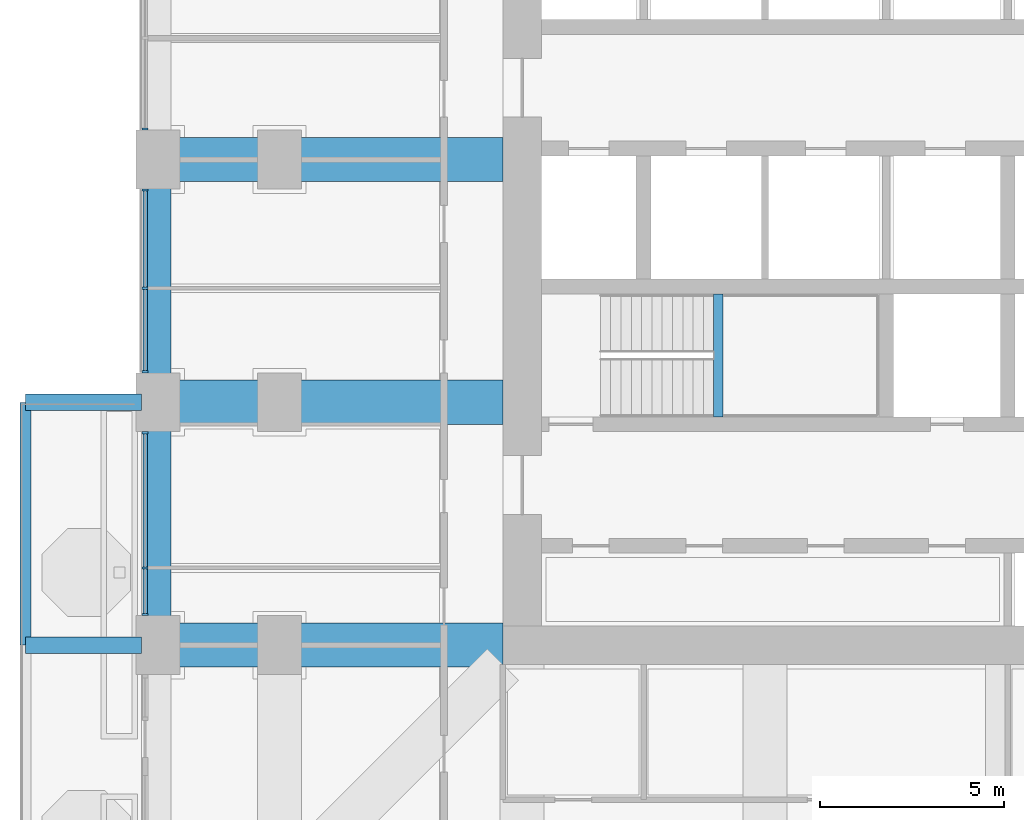
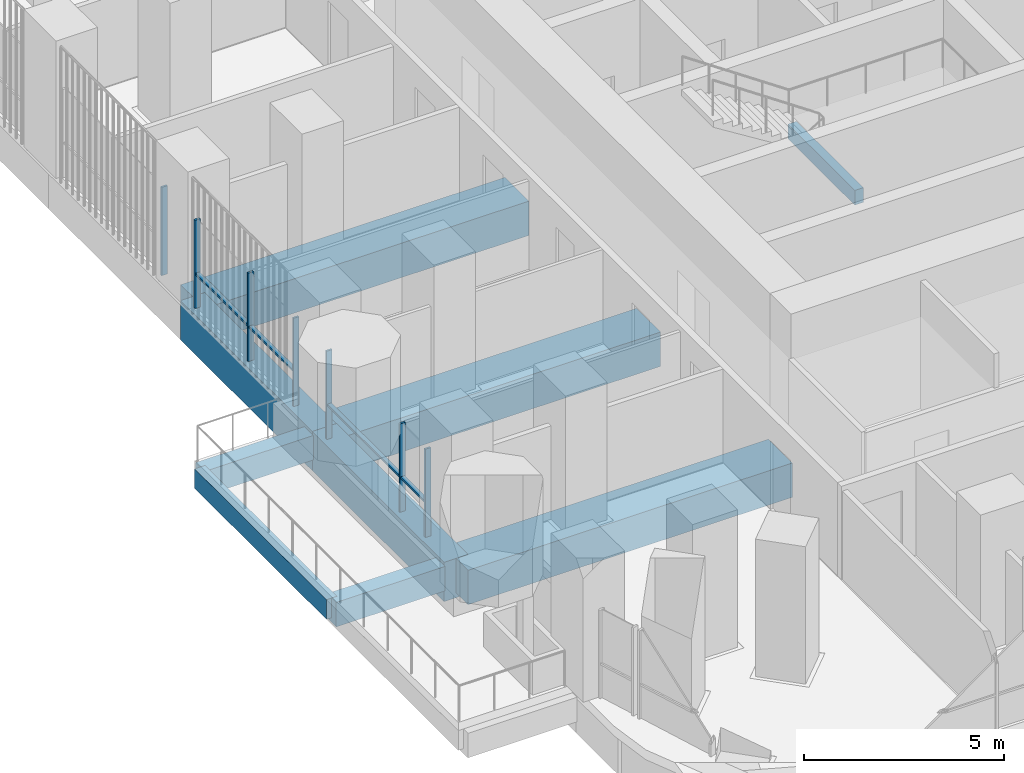
# One storey, part 4 of 21: 11 members, 9 beams, 3 elements without a shape of their own.
"""IFC4 building model written with IfcOpenShell, lengths in metres."""

from ifc_helpers import new_model, si_unit, direction, frame, origin, origin_2d, place, context, subcontext, project, spatial, rectangle, extrude, material, material_profile, profile_set, type_object, element, aggregate, save


model = new_model("IFC4")

# Units and contexts
model_context = context("Model", 3, precision=1e-05, world=origin(), true_north=direction((0.0, 1.0)))
body_context = subcontext(model_context, "Body", "Model", "MODEL_VIEW")
ifc_project = project(units=[si_unit("LENGTHUNIT", "METRE"), si_unit("AREAUNIT", "SQUARE_METRE"), si_unit("VOLUMEUNIT", "CUBIC_METRE"), si_unit("PLANEANGLEUNIT", "RADIAN"), si_unit("MASSUNIT", "GRAM", prefix="KILO")], contexts=[model_context])

# Site, building, storey
site_placement = place(None, origin())
site = spatial("IfcSite", under=ifc_project, at=site_placement, CompositionType="ELEMENT")
building_placement = place(site_placement, origin())
building = spatial("IfcBuilding", under=site, at=building_placement, Name="Cobogo Forest Laboratory Tower", CompositionType="ELEMENT")
storey_placement = place(building_placement, frame((0.0, 0.0, 107.39990234375)))
storey = spatial("IfcBuildingStorey", under=building, at=storey_placement, Name="L24", CompositionType="ELEMENT", Elevation=107.39990234375)

# Beams
ifc_material_1 = material(Name="Concrete HA-40 (C40/50)", Category="concrete")
ifc_material_profile_1 = material_profile(ifc_material_1, rectangle(XDim=0.449951171875, YDim=0.75, at=origin_2d()), Name="RC 450x750")
ifc_profile_set_1 = profile_set([ifc_material_profile_1], Name="Concrete HA-40 (C40/50)")
beam_type_1 = type_object("IfcBeamType", Name="Balcony cantilever beam 450x750", PredefinedType="BEAM", material=ifc_profile_set_1)
for number, where, z_axis, x_axis, name in (
    (1, (2.85009765625, 13.199951171875, -0.625), (-1.0, 0.0, 0.0), (0.0, -1.0, 0.0), "CB1 BAL-W1-C2 L24"),
    (2, (2.85009765625, 19.800048828125, -0.625), (-1.0, 0.0, 0.0), (0.0, -1.0, 0.0), "CB1 BAL-W1-C3 L24"),
):
    element("IfcBeam", number, at=place(storey_placement, frame(where, z_axis=z_axis, x_axis=x_axis)), inside=storey, type_object=beam_type_1, Name=name, PredefinedType="BEAM", context=body_context, shape_type="SweptSolid", body=[
        extrude(rectangle(XDim=0.449951171875, YDim=0.75, at=origin_2d()), origin(), (0.0, 0.0, 1.0), 3.150146484375),
    ])
ifc_material_profile_2 = material_profile(ifc_material_1, rectangle(XDim=0.300048828125, YDim=0.60009765625, at=origin_2d()), Name="RC 300x600")
ifc_profile_set_2 = profile_set([ifc_material_profile_2], Name="Concrete HA-40 (C40/50)")
beam_type_2 = type_object("IfcBeamType", Name="Balcony edge beam 300x600", PredefinedType="BEAM", material=ifc_profile_set_2)
beam_1_placement = place(storey_placement, frame((-0.300048828125, 13.199951171875, -0.5498046875), z_axis=(0.0, 1.0, 0.0), x_axis=(-1.0, 0.0, 0.0)))
element("IfcBeam", 3, at=beam_1_placement, inside=storey, type_object=beam_type_2, Name="BB1 BAL-W1-T2 L24", PredefinedType="BEAM", context=body_context, shape_type="SweptSolid", body=[
    extrude(rectangle(XDim=0.300048828125, YDim=0.60009765625, at=origin_2d()), origin(), (0.0, 0.0, 1.0), 6.60009765625),
])
ifc_material_profile_3 = material_profile(ifc_material_1, rectangle(XDim=0.25, YDim=0.449951171875, at=origin_2d()), Name="RC 250x450")
ifc_profile_set_3 = profile_set([ifc_material_profile_3], Name="Concrete HA-40 (C40/50)")
beam_type_3 = type_object("IfcBeamType", Name="LB1 landing beam 250x450", PredefinedType="BEAM", material=ifc_profile_set_3)
beam_2_placement = place(storey_placement, frame((18.530029296875, 19.39990234375, 1.675048828125), z_axis=(0.0, 1.0, 0.0), x_axis=(-1.0, 0.0, 0.0)))
element("IfcBeam", 4, at=beam_2_placement, inside=storey, type_object=beam_type_3, Name="Landing beam ST1 L24", PredefinedType="BEAM", context=body_context, shape_type="SweptSolid", body=[
    extrude(rectangle(XDim=0.25, YDim=0.449951171875, at=origin_2d()), origin(), (0.0, 0.0, 1.0), 3.35009765625),
])
ifc_material_profile_4 = material_profile(ifc_material_1, rectangle(XDim=1.199951171875, YDim=1.050048828125, at=origin_2d()), Name="RC 1200x1050")
ifc_profile_set_4 = profile_set([ifc_material_profile_4], Name="Concrete HA-40 (C40/50)")
beam_type_4 = type_object("IfcBeamType", Name="Laboratory floor wide beam 1200x1050", PredefinedType="BEAM", material=ifc_profile_set_4)
for number, where, z_axis, x_axis, name in (
    (5, (12.675048828125, 13.199951171875, -0.824951171875), (-1.0, 0.0, 0.0), (0.0, -1.0, 0.0), "RB1 R-C-W L24"),
    (6, (12.675048828125, 19.800048828125, -0.824951171875), (-1.0, 0.0, 0.0), (0.0, -1.0, 0.0), "RB1 R-D-W L24"),
    (7, (12.675048828125, 26.39990234375, -0.824951171875), (-1.0, 0.0, 0.0), (0.0, -1.0, 0.0), "RB1 R-E-W L24"),
):
    element("IfcBeam", number, at=place(storey_placement, frame(where, z_axis=z_axis, x_axis=x_axis)), inside=storey, type_object=beam_type_4, Name=name, PredefinedType="BEAM", context=body_context, shape_type="SweptSolid", body=[
        extrude(rectangle(XDim=1.199951171875, YDim=1.050048828125, at=origin_2d()), origin(), (0.0, 0.0, 1.0), 9.375),
    ])

# Curtain wall, member
ifc_material_2 = material(Name="Aluminium curtain wall", Category="aluminium")
curtain_wall_type = type_object("IfcCurtainWallType", Name="CW-1 unitised curtain wall, clear glazing, laboratory floors zones A and B", PredefinedType="USERDEFINED", material=ifc_material_2)
curtain_wall_1_placement = place(storey_placement, origin())
curtain_wall_1 = element("IfcCurtainWall", 8, at=curtain_wall_1_placement, inside=storey, type_object=curtain_wall_type, Name="Curtain wall 28 L24", ObjectType="UNITISED CURTAIN WALL", PredefinedType="USERDEFINED")
ifc_material_3 = material(Name="Aluminium mullion", Category="aluminium")
ifc_material_profile_5 = material_profile(ifc_material_3, rectangle(XDim=0.06005859375, YDim=0.159912109375, at=origin_2d()), Name="AL 60x160")
ifc_profile_set_5 = profile_set([ifc_material_profile_5], Name="Aluminium mullion")
member_type_1 = type_object("IfcMemberType", Name="MU-1 aluminium mullion 60x160", PredefinedType="MULLION", material=ifc_profile_set_5)
member_1_placement = place(storey_placement, frame((2.949951171875, 27.22998046875, 0.0), z_axis=(0.0, 0.0, 1.0), x_axis=(0.0, -1.0, 0.0)))
member_1 = element("IfcMember", 9, at=member_1_placement, type_object=member_type_1, Name="CW-1 mullion 3", PredefinedType="MULLION", context=body_context, shape_type="SweptSolid", body=[
    extrude(rectangle(XDim=0.06005859375, YDim=0.159912109375, at=origin_2d()), origin(), (0.0, 0.0, 1.0), 2.7001953125),
])
aggregate(curtain_wall_1, [member_1])

# Curtain wall, members
curtain_wall_2_placement = place(storey_placement, origin())
curtain_wall_2 = element("IfcCurtainWall", 10, at=curtain_wall_2_placement, inside=storey, type_object=curtain_wall_type, Name="Curtain wall 29 L24", ObjectType="UNITISED CURTAIN WALL", PredefinedType="USERDEFINED")
member_2_placement = place(storey_placement, frame((2.949951171875, 25.570068359375, 0.0), z_axis=(0.0, 0.0, 1.0), x_axis=(0.0, -1.0, 0.0)))
member_2 = element("IfcMember", 11, at=member_2_placement, type_object=member_type_1, Name="CW-1 mullion 1", PredefinedType="MULLION", context=body_context, shape_type="SweptSolid", body=[
    extrude(rectangle(XDim=0.06005859375, YDim=0.159912109375, at=origin_2d()), origin(), (0.0, 0.0, 1.0), 2.7001953125),
])
member_3_placement = place(storey_placement, frame((2.949951171875, 22.89990234375, 0.0), z_axis=(0.0, 0.0, 1.0), x_axis=(0.0, -1.0, 0.0)))
member_3 = element("IfcMember", 12, at=member_3_placement, type_object=member_type_1, Name="CW-1 mullion 2", PredefinedType="MULLION", context=body_context, shape_type="SweptSolid", body=[
    extrude(rectangle(XDim=0.06005859375, YDim=0.159912109375, at=origin_2d()), origin(), (0.0, 0.0, 1.0), 2.7001953125),
])
member_4_placement = place(storey_placement, frame((2.949951171875, 20.6298828125, 0.0), z_axis=(0.0, 0.0, 1.0), x_axis=(0.0, -1.0, 0.0)))
member_4 = element("IfcMember", 13, at=member_4_placement, type_object=member_type_1, Name="CW-1 mullion 3", PredefinedType="MULLION", context=body_context, shape_type="SweptSolid", body=[
    extrude(rectangle(XDim=0.06005859375, YDim=0.159912109375, at=origin_2d()), origin(), (0.0, 0.0, 1.0), 2.7001953125),
])

curtain_wall_3_placement = place(storey_placement, origin())
curtain_wall_3 = element("IfcCurtainWall", 14, at=curtain_wall_3_placement, inside=storey, type_object=curtain_wall_type, Name="Curtain wall 30 L24", ObjectType="UNITISED CURTAIN WALL", PredefinedType="USERDEFINED")
member_5_placement = place(storey_placement, frame((2.949951171875, 18.969970703125, 0.0), z_axis=(0.0, 0.0, 1.0), x_axis=(0.0, -1.0, 0.0)))
member_5 = element("IfcMember", 15, at=member_5_placement, type_object=member_type_1, Name="CW-1 mullion 1", PredefinedType="MULLION", context=body_context, shape_type="SweptSolid", body=[
    extrude(rectangle(XDim=0.06005859375, YDim=0.159912109375, at=origin_2d()), origin(), (0.0, 0.0, 1.0), 2.7001953125),
])
member_6_placement = place(storey_placement, frame((2.949951171875, 15.300048828125, 0.0), z_axis=(0.0, 0.0, 1.0), x_axis=(0.0, -1.0, 0.0)))
member_6 = element("IfcMember", 16, at=member_6_placement, type_object=member_type_1, Name="CW-1 mullion 2", PredefinedType="MULLION", context=body_context, shape_type="SweptSolid", body=[
    extrude(rectangle(XDim=0.06005859375, YDim=0.159912109375, at=origin_2d()), origin(), (0.0, 0.0, 1.0), 2.7001953125),
])
member_7_placement = place(storey_placement, frame((2.949951171875, 14.030029296875, 0.0), z_axis=(0.0, 0.0, 1.0), x_axis=(0.0, -1.0, 0.0)))
member_7 = element("IfcMember", 17, at=member_7_placement, type_object=member_type_1, Name="CW-1 mullion 3", PredefinedType="MULLION", context=body_context, shape_type="SweptSolid", body=[
    extrude(rectangle(XDim=0.06005859375, YDim=0.159912109375, at=origin_2d()), origin(), (0.0, 0.0, 1.0), 2.7001953125),
])

# Beams
ifc_material_profile_6 = material_profile(ifc_material_1, rectangle(XDim=0.699951171875, YDim=1.199951171875, at=origin_2d()), Name="RC 700x1200")
ifc_profile_set_6 = profile_set([ifc_material_profile_6], Name="Concrete HA-40 (C40/50)")
beam_type_5 = type_object("IfcBeamType", Name="Perimeter edge beam 700x1200", PredefinedType="BEAM", material=ifc_profile_set_6)
beam_3_placement = place(storey_placement, frame((3.300048828125, 13.199951171875, -0.89990234375), z_axis=(0.0, 1.0, 0.0), x_axis=(-1.0, 0.0, 0.0)))
element("IfcBeam", 18, at=beam_3_placement, inside=storey, type_object=beam_type_5, Name="EB1 E-W2 L24", PredefinedType="BEAM", context=body_context, shape_type="SweptSolid", body=[
    extrude(rectangle(XDim=0.699951171875, YDim=1.199951171875, at=origin_2d()), origin(), (0.0, 0.0, 1.0), 6.60009765625),
])
beam_4_placement = place(storey_placement, frame((3.300048828125, 19.800048828125, -0.89990234375), z_axis=(0.0, 1.0, 0.0), x_axis=(-1.0, 0.0, 0.0)))
element("IfcBeam", 19, at=beam_4_placement, inside=storey, type_object=beam_type_5, Name="EB1 E-W3 L24", PredefinedType="BEAM", context=body_context, shape_type="SweptSolid", body=[
    extrude(rectangle(XDim=0.699951171875, YDim=1.199951171875, at=origin_2d()), origin(), (0.0, 0.0, 1.0), 6.599853515625),
])

# Member
ifc_material_4 = material(Name="Aluminium transom", Category="aluminium")
ifc_material_profile_7 = material_profile(ifc_material_4, rectangle(XDim=0.1201171875, YDim=0.06005859375, at=origin_2d()), Name="AL 60x120")
ifc_profile_set_7 = profile_set([ifc_material_profile_7], Name="Aluminium transom")
member_type_2 = type_object("IfcMemberType", Name="TR-1 aluminium transom 60x120", PredefinedType="USERDEFINED", material=ifc_profile_set_7)
member_8_placement = place(storey_placement, frame((2.949951171875, 25.5400390625, 1.050048828125), z_axis=(0.0, -1.0, 0.0), x_axis=(1.0, 0.0, 0.0)))
member_8 = element("IfcMember", 20, at=member_8_placement, type_object=member_type_2, Name="CW-1 transom 1.1", ObjectType="TRANSOM", PredefinedType="USERDEFINED", context=body_context, shape_type="SweptSolid", body=[
    extrude(rectangle(XDim=0.1201171875, YDim=0.06005859375, at=origin_2d()), origin(), (0.0, 0.0, 1.0), 2.610107421875),
])

member_9_placement = place(storey_placement, frame((2.949951171875, 22.8701171875, 1.050048828125), z_axis=(0.0, -1.0, 0.0), x_axis=(1.0, 0.0, 0.0)))
member_9 = element("IfcMember", 21, at=member_9_placement, type_object=member_type_2, Name="CW-1 transom 2.1", ObjectType="TRANSOM", PredefinedType="USERDEFINED", context=body_context, shape_type="SweptSolid", body=[
    extrude(rectangle(XDim=0.1201171875, YDim=0.06005859375, at=origin_2d()), origin(), (0.0, 0.0, 1.0), 2.210205078125),
])

aggregate(curtain_wall_2, [member_2, member_3, member_4, member_8, member_9])

member_10_placement = place(storey_placement, frame((2.949951171875, 18.93994140625, 1.050048828125), z_axis=(0.0, -1.0, 0.0), x_axis=(1.0, 0.0, 0.0)))
member_10 = element("IfcMember", 22, at=member_10_placement, type_object=member_type_2, Name="CW-1 transom 1.1", ObjectType="TRANSOM", PredefinedType="USERDEFINED", context=body_context, shape_type="SweptSolid", body=[
    extrude(rectangle(XDim=0.1201171875, YDim=0.06005859375, at=origin_2d()), origin(), (0.0, 0.0, 1.0), 3.60986328125),
])

member_11_placement = place(storey_placement, frame((2.949951171875, 15.27001953125, 1.050048828125), z_axis=(0.0, -1.0, 0.0), x_axis=(1.0, 0.0, 0.0)))
member_11 = element("IfcMember", 23, at=member_11_placement, type_object=member_type_2, Name="CW-1 transom 2.1", ObjectType="TRANSOM", PredefinedType="USERDEFINED", context=body_context, shape_type="SweptSolid", body=[
    extrude(rectangle(XDim=0.1201171875, YDim=0.06005859375, at=origin_2d()), origin(), (0.0, 0.0, 1.0), 1.2099609375),
])

aggregate(curtain_wall_3, [member_5, member_6, member_7, member_10, member_11])

save(model, "model.ifc")
